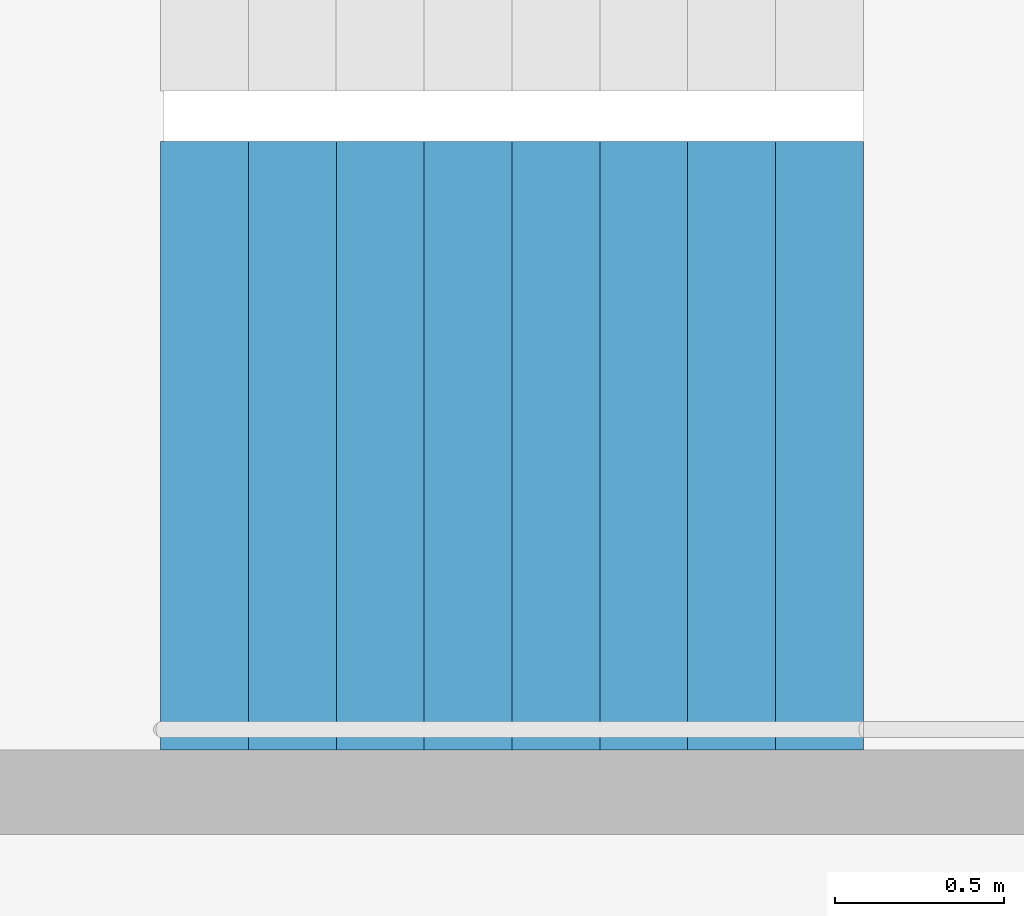
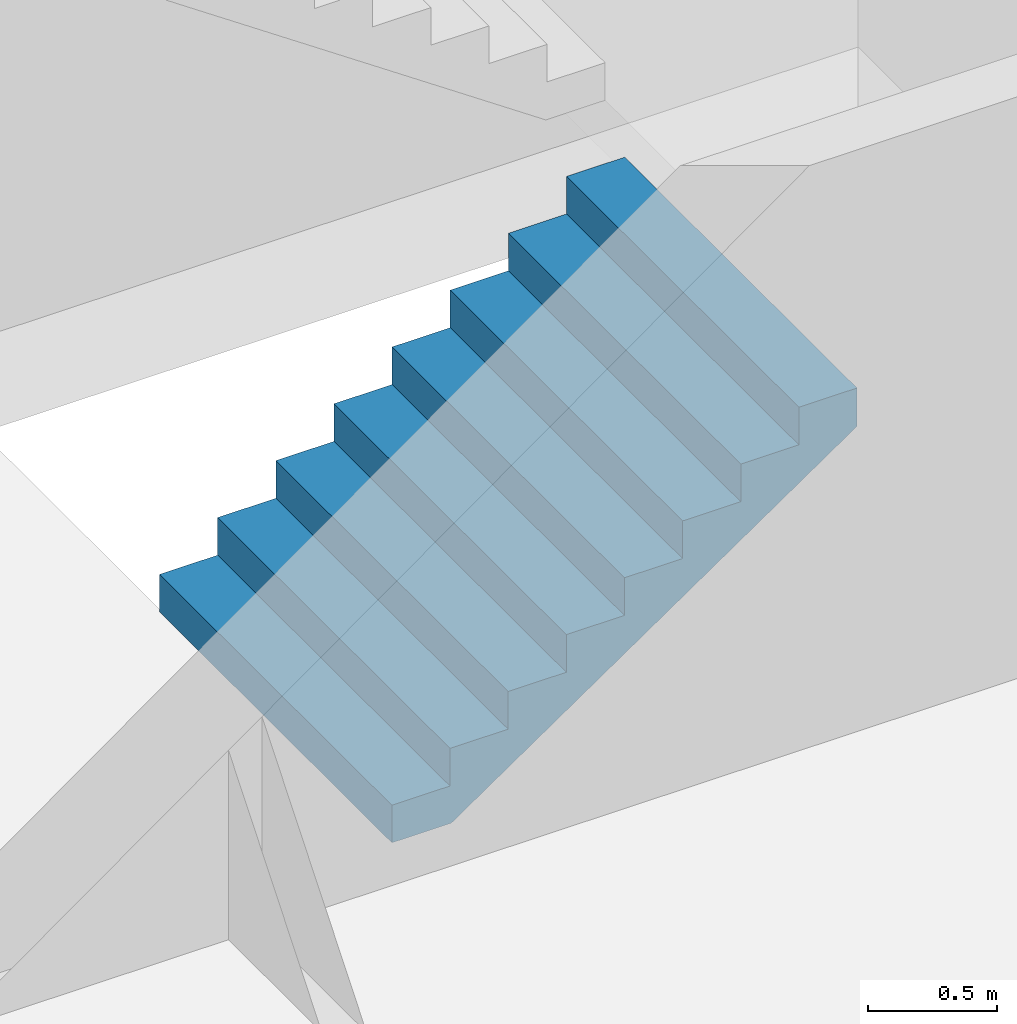
# One storey, part 19 of 29: 1 stair flight, 1 element without a shape of its own.
"""IFC4 building model written with IfcOpenShell, lengths in metres."""

from ifc_helpers import new_model, si_unit, direction, frame, origin, place, context, subcontext, project, spatial, triangles, material, type_object, element, aggregate, save


model = new_model("IFC4")

# Units and contexts
model_context = context("Model", 3, precision=1e-05, world=origin(), true_north=direction((0.0, 1.0)))
body_context = subcontext(model_context, "Body", "Model", "MODEL_VIEW")
ifc_project = project(units=[si_unit("LENGTHUNIT", "METRE"), si_unit("AREAUNIT", "SQUARE_METRE"), si_unit("VOLUMEUNIT", "CUBIC_METRE"), si_unit("PLANEANGLEUNIT", "RADIAN"), si_unit("MASSUNIT", "GRAM", prefix="KILO")], contexts=[model_context])

# Site, building, storey
site_placement = place(None, origin())
site = spatial("IfcSite", under=ifc_project, at=site_placement, CompositionType="ELEMENT")
building_placement = place(site_placement, origin())
building = spatial("IfcBuilding", under=site, at=building_placement, Name="Hakoniwa Tower and Hamabe Station Hall", CompositionType="ELEMENT")
storey_placement = place(building_placement, frame((0.0, 0.0, 205.800048828125)))
storey = spatial("IfcBuildingStorey", under=building, at=storey_placement, Name="L58", CompositionType="ELEMENT", Elevation=205.800048828125)

# Stair, stair flight
ifc_material_1 = material(Name="Concrete C40", Category="concrete")
stair_type = type_object("IfcStairType", Name="ESCAPE STAIR 1800", PredefinedType="HALF_TURN_STAIR", material=ifc_material_1)
stair_placement = place(storey_placement, origin())
stair = element("IfcStair", 1, at=stair_placement, inside=storey, type_object=stair_type, Name="Escape stair ST-1 L58", PredefinedType="HALF_TURN_STAIR")
ifc_material_2 = material(Name="Concrete C40", Category="concrete")
stair_flight_type = type_object("IfcStairFlightType", Name="STAIR FLIGHT 1800", PredefinedType="STRAIGHT", material=ifc_material_2)
stair_flight_placement = place(storey_placement, frame((-24.39990234375, 4.64990234375, 0.0), z_axis=(0.0, 0.0, 1.0), x_axis=(1.0, 0.0, 0.0)))
stair_flight = element("IfcStairFlight", 2, at=stair_flight_placement, type_object=stair_flight_type, Name="ST-1 flight 1", NumberOfRisers=9, NumberOfTreads=8, PredefinedType="STRAIGHT", RiserHeight=0.177777778, TreadLength=0.26, context=body_context, shape_type="Tessellation", body=[
    triangles([(0.0, 0.89990234375, 0.0), (0.260009765625, 0.89990234375, 0.0), (0.265625, 0.89990234375, 0.0), (0.52001953125, 0.89990234375, 0.174072265625), (0.780029296875, 0.89990234375, 0.351806640625), (1.0400390625, 0.89990234375, 0.529541015625), (1.300048828125, 0.89990234375, 0.707275390625), (1.56005859375, 0.89990234375, 0.885009765625), (1.820068359375, 0.89990234375, 1.062744140625), (2.080078125, 0.89990234375, 1.24072265625), (2.080078125, 0.89990234375, 1.422119140625), (1.820068359375, 0.89990234375, 1.422119140625), (1.820068359375, 0.89990234375, 1.244384765625), (1.56005859375, 0.89990234375, 1.244384765625), (1.56005859375, 0.89990234375, 1.066650390625), (1.300048828125, 0.89990234375, 1.066650390625), (1.300048828125, 0.89990234375, 0.888916015625), (1.0400390625, 0.89990234375, 0.888916015625), (1.0400390625, 0.89990234375, 0.711181640625), (0.780029296875, 0.89990234375, 0.711181640625), (0.780029296875, 0.89990234375, 0.533447265625), (0.52001953125, 0.89990234375, 0.533447265625), (0.52001953125, 0.89990234375, 0.35546875), (0.265625, 0.89990234375, 0.35546875), (0.260009765625, 0.89990234375, 0.35546875), (0.260009765625, 0.89990234375, 0.177734375), (0.0, 0.89990234375, 0.177734375), (0.0, 0.06005859375, 0.0), (0.260009765625, 0.06005859375, 0.0), (0.265625, 0.06005859375, 0.0), (0.52001953125, 0.06005859375, 0.174072265625), (0.780029296875, 0.06005859375, 0.351806640625), (1.0400390625, 0.06005859375, 0.529541015625), (1.300048828125, 0.06005859375, 0.707275390625), (1.56005859375, 0.06005859375, 0.885009765625), (1.820068359375, 0.06005859375, 1.062744140625), (2.080078125, 0.06005859375, 1.24072265625), (2.080078125, 0.06005859375, 1.422119140625), (1.820068359375, 0.06005859375, 1.422119140625), (1.820068359375, 0.06005859375, 1.244384765625), (1.56005859375, 0.06005859375, 1.244384765625), (1.56005859375, 0.06005859375, 1.066650390625), (1.300048828125, 0.06005859375, 1.066650390625), (1.300048828125, 0.06005859375, 0.888916015625), (1.0400390625, 0.06005859375, 0.888916015625), (1.0400390625, 0.06005859375, 0.711181640625), (0.780029296875, 0.06005859375, 0.711181640625), (0.780029296875, 0.06005859375, 0.533447265625), (0.52001953125, 0.06005859375, 0.533447265625), (0.52001953125, 0.06005859375, 0.35546875), (0.265625, 0.06005859375, 0.35546875), (0.260009765625, 0.06005859375, 0.35546875), (0.260009765625, 0.06005859375, 0.177734375), (0.0, 0.06005859375, 0.177734375), (0.0, 0.04296875, 0.0), (0.260009765625, 0.04296875, 0.0), (0.265625, 0.04296875, 0.0), (0.52001953125, 0.04296875, 0.174072265625), (0.780029296875, 0.04296875, 0.351806640625), (1.0400390625, 0.04296875, 0.529541015625), (1.300048828125, 0.04296875, 0.707275390625), (1.56005859375, 0.04296875, 0.885009765625), (1.820068359375, 0.04296875, 1.062744140625), (2.080078125, 0.04296875, 1.24072265625), (2.080078125, 0.04296875, 1.422119140625), (1.820068359375, 0.04296875, 1.422119140625), (1.820068359375, 0.04296875, 1.244384765625), (1.56005859375, 0.04296875, 1.244384765625), (1.56005859375, 0.04296875, 1.066650390625), (1.300048828125, 0.04296875, 1.066650390625), (1.300048828125, 0.04296875, 0.888916015625), (1.0400390625, 0.04296875, 0.888916015625), (1.0400390625, 0.04296875, 0.711181640625), (0.780029296875, 0.04296875, 0.711181640625), (0.780029296875, 0.04296875, 0.533447265625), (0.52001953125, 0.04296875, 0.533447265625), (0.52001953125, 0.04296875, 0.35546875), (0.265625, 0.04296875, 0.35546875), (0.260009765625, 0.04296875, 0.35546875), (0.260009765625, 0.04296875, 0.177734375), (0.0, 0.04296875, 0.177734375), (0.0, 0.025634765625, 0.0), (0.260009765625, 0.025634765625, 0.0), (0.265625, 0.025634765625, 0.0), (0.52001953125, 0.025634765625, 0.174072265625), (0.780029296875, 0.025634765625, 0.351806640625), (1.0400390625, 0.025634765625, 0.529541015625), (1.300048828125, 0.025634765625, 0.707275390625), (1.56005859375, 0.025634765625, 0.885009765625), (1.820068359375, 0.025634765625, 1.062744140625), (2.080078125, 0.025634765625, 1.24072265625), (2.080078125, 0.025634765625, 1.422119140625), (1.820068359375, 0.025634765625, 1.422119140625), (1.820068359375, 0.025634765625, 1.244384765625), (1.56005859375, 0.025634765625, 1.244384765625), (1.56005859375, 0.025634765625, 1.066650390625), (1.300048828125, 0.025634765625, 1.066650390625), (1.300048828125, 0.025634765625, 0.888916015625), (1.0400390625, 0.025634765625, 0.888916015625), (1.0400390625, 0.025634765625, 0.711181640625), (0.780029296875, 0.025634765625, 0.711181640625), (0.780029296875, 0.025634765625, 0.533447265625), (0.52001953125, 0.025634765625, 0.533447265625), (0.52001953125, 0.025634765625, 0.35546875), (0.265625, 0.025634765625, 0.35546875), (0.260009765625, 0.025634765625, 0.35546875), (0.260009765625, 0.025634765625, 0.177734375), (0.0, 0.025634765625, 0.177734375), (0.0, 0.008544921875, 0.0), (0.260009765625, 0.008544921875, 0.0), (0.265625, 0.008544921875, 0.0), (0.52001953125, 0.008544921875, 0.174072265625), (0.780029296875, 0.008544921875, 0.351806640625), (1.0400390625, 0.008544921875, 0.529541015625), (1.300048828125, 0.008544921875, 0.707275390625), (1.56005859375, 0.008544921875, 0.885009765625), (1.820068359375, 0.008544921875, 1.062744140625), (2.080078125, 0.008544921875, 1.24072265625), (2.080078125, 0.008544921875, 1.422119140625), (1.820068359375, 0.008544921875, 1.422119140625), (1.820068359375, 0.008544921875, 1.244384765625), (1.56005859375, 0.008544921875, 1.244384765625), (1.56005859375, 0.008544921875, 1.066650390625), (1.300048828125, 0.008544921875, 1.066650390625), (1.300048828125, 0.008544921875, 0.888916015625), (1.0400390625, 0.008544921875, 0.888916015625), (1.0400390625, 0.008544921875, 0.711181640625), (0.780029296875, 0.008544921875, 0.711181640625), (0.780029296875, 0.008544921875, 0.533447265625), (0.52001953125, 0.008544921875, 0.533447265625), (0.52001953125, 0.008544921875, 0.35546875), (0.265625, 0.008544921875, 0.35546875), (0.260009765625, 0.008544921875, 0.35546875), (0.260009765625, 0.008544921875, 0.177734375), (0.0, 0.008544921875, 0.177734375), (0.0, -0.008544921875, 0.0), (0.260009765625, -0.008544921875, 0.0), (0.265625, -0.008544921875, 0.0), (0.52001953125, -0.008544921875, 0.174072265625), (0.780029296875, -0.008544921875, 0.351806640625), (1.0400390625, -0.008544921875, 0.529541015625), (1.300048828125, -0.008544921875, 0.707275390625), (1.56005859375, -0.008544921875, 0.885009765625), (1.820068359375, -0.008544921875, 1.062744140625), (2.080078125, -0.008544921875, 1.24072265625), (2.080078125, -0.008544921875, 1.422119140625), (1.820068359375, -0.008544921875, 1.422119140625), (1.820068359375, -0.008544921875, 1.244384765625), (1.56005859375, -0.008544921875, 1.244384765625), (1.56005859375, -0.008544921875, 1.066650390625), (1.300048828125, -0.008544921875, 1.066650390625), (1.300048828125, -0.008544921875, 0.888916015625), (1.0400390625, -0.008544921875, 0.888916015625), (1.0400390625, -0.008544921875, 0.711181640625), (0.780029296875, -0.008544921875, 0.711181640625), (0.780029296875, -0.008544921875, 0.533447265625), (0.52001953125, -0.008544921875, 0.533447265625), (0.52001953125, -0.008544921875, 0.35546875), (0.265625, -0.008544921875, 0.35546875), (0.260009765625, -0.008544921875, 0.35546875), (0.260009765625, -0.008544921875, 0.177734375), (0.0, -0.008544921875, 0.177734375), (0.0, -0.025634765625, 0.0), (0.260009765625, -0.025634765625, 0.0), (0.265625, -0.025634765625, 0.0), (0.52001953125, -0.025634765625, 0.174072265625), (0.780029296875, -0.025634765625, 0.351806640625), (1.0400390625, -0.025634765625, 0.529541015625), (1.300048828125, -0.025634765625, 0.707275390625), (1.56005859375, -0.025634765625, 0.885009765625), (1.820068359375, -0.025634765625, 1.062744140625), (2.080078125, -0.025634765625, 1.24072265625), (2.080078125, -0.025634765625, 1.422119140625), (1.820068359375, -0.025634765625, 1.422119140625), (1.820068359375, -0.025634765625, 1.244384765625), (1.56005859375, -0.025634765625, 1.244384765625), (1.56005859375, -0.025634765625, 1.066650390625), (1.300048828125, -0.025634765625, 1.066650390625), (1.300048828125, -0.025634765625, 0.888916015625), (1.0400390625, -0.025634765625, 0.888916015625), (1.0400390625, -0.025634765625, 0.711181640625), (0.780029296875, -0.025634765625, 0.711181640625), (0.780029296875, -0.025634765625, 0.533447265625), (0.52001953125, -0.025634765625, 0.533447265625), (0.52001953125, -0.025634765625, 0.35546875), (0.265625, -0.025634765625, 0.35546875), (0.260009765625, -0.025634765625, 0.35546875), (0.260009765625, -0.025634765625, 0.177734375), (0.0, -0.025634765625, 0.177734375), (0.0, -0.04296875, 0.0), (0.260009765625, -0.04296875, 0.0), (0.265625, -0.04296875, 0.0), (0.52001953125, -0.04296875, 0.174072265625), (0.780029296875, -0.04296875, 0.351806640625), (1.0400390625, -0.04296875, 0.529541015625), (1.300048828125, -0.04296875, 0.707275390625), (1.56005859375, -0.04296875, 0.885009765625), (1.820068359375, -0.04296875, 1.062744140625), (2.080078125, -0.04296875, 1.24072265625), (2.080078125, -0.04296875, 1.422119140625), (1.820068359375, -0.04296875, 1.422119140625), (1.820068359375, -0.04296875, 1.244384765625), (1.56005859375, -0.04296875, 1.244384765625), (1.56005859375, -0.04296875, 1.066650390625), (1.300048828125, -0.04296875, 1.066650390625), (1.300048828125, -0.04296875, 0.888916015625), (1.0400390625, -0.04296875, 0.888916015625), (1.0400390625, -0.04296875, 0.711181640625), (0.780029296875, -0.04296875, 0.711181640625), (0.780029296875, -0.04296875, 0.533447265625), (0.52001953125, -0.04296875, 0.533447265625), (0.52001953125, -0.04296875, 0.35546875), (0.265625, -0.04296875, 0.35546875), (0.260009765625, -0.04296875, 0.35546875), (0.260009765625, -0.04296875, 0.177734375), (0.0, -0.04296875, 0.177734375), (0.0, -0.06005859375, 0.0), (0.260009765625, -0.06005859375, 0.0), (0.265625, -0.06005859375, 0.0), (0.52001953125, -0.06005859375, 0.174072265625), (0.780029296875, -0.06005859375, 0.351806640625), (1.0400390625, -0.06005859375, 0.529541015625), (1.300048828125, -0.06005859375, 0.707275390625), (1.56005859375, -0.06005859375, 0.885009765625), (1.820068359375, -0.06005859375, 1.062744140625), (2.080078125, -0.06005859375, 1.24072265625), (2.080078125, -0.06005859375, 1.422119140625), (1.820068359375, -0.06005859375, 1.422119140625), (1.820068359375, -0.06005859375, 1.244384765625), (1.56005859375, -0.06005859375, 1.244384765625), (1.56005859375, -0.06005859375, 1.066650390625), (1.300048828125, -0.06005859375, 1.066650390625), (1.300048828125, -0.06005859375, 0.888916015625), (1.0400390625, -0.06005859375, 0.888916015625), (1.0400390625, -0.06005859375, 0.711181640625), (0.780029296875, -0.06005859375, 0.711181640625), (0.780029296875, -0.06005859375, 0.533447265625), (0.52001953125, -0.06005859375, 0.533447265625), (0.52001953125, -0.06005859375, 0.35546875), (0.265625, -0.06005859375, 0.35546875), (0.260009765625, -0.06005859375, 0.35546875), (0.260009765625, -0.06005859375, 0.177734375), (0.0, -0.06005859375, 0.177734375), (0.0, -0.89990234375, 0.0), (0.260009765625, -0.89990234375, 0.0), (0.265625, -0.89990234375, 0.0), (0.52001953125, -0.89990234375, 0.174072265625), (0.780029296875, -0.89990234375, 0.351806640625), (1.0400390625, -0.89990234375, 0.529541015625), (1.300048828125, -0.89990234375, 0.707275390625), (1.56005859375, -0.89990234375, 0.885009765625), (1.820068359375, -0.89990234375, 1.062744140625), (2.080078125, -0.89990234375, 1.24072265625), (2.080078125, -0.89990234375, 1.422119140625), (1.820068359375, -0.89990234375, 1.422119140625), (1.820068359375, -0.89990234375, 1.244384765625), (1.56005859375, -0.89990234375, 1.244384765625), (1.56005859375, -0.89990234375, 1.066650390625), (1.300048828125, -0.89990234375, 1.066650390625), (1.300048828125, -0.89990234375, 0.888916015625), (1.0400390625, -0.89990234375, 0.888916015625), (1.0400390625, -0.89990234375, 0.711181640625), (0.780029296875, -0.89990234375, 0.711181640625), (0.780029296875, -0.89990234375, 0.533447265625), (0.52001953125, -0.89990234375, 0.533447265625), (0.52001953125, -0.89990234375, 0.35546875), (0.265625, -0.89990234375, 0.35546875), (0.260009765625, -0.89990234375, 0.35546875), (0.260009765625, -0.89990234375, 0.177734375), (0.0, -0.89990234375, 0.177734375)], [[2, 27, 26], [245, 269, 270], [2, 1, 27], [245, 270, 244], [3, 25, 24], [246, 267, 268], [3, 26, 25], [246, 268, 269], [3, 2, 26], [246, 269, 245], [4, 24, 23], [247, 266, 267], [4, 3, 24], [247, 267, 246], [5, 22, 21], [248, 264, 265], [5, 23, 22], [248, 265, 266], [5, 4, 23], [248, 266, 247], [6, 20, 19], [249, 262, 263], [6, 21, 20], [249, 263, 264], [6, 5, 21], [249, 264, 248], [7, 18, 17], [250, 260, 261], [7, 19, 18], [250, 261, 262], [7, 6, 19], [250, 262, 249], [8, 16, 15], [251, 258, 259], [8, 17, 16], [251, 259, 260], [8, 7, 17], [251, 260, 250], [9, 14, 13], [252, 256, 257], [9, 15, 14], [252, 257, 258], [9, 8, 15], [252, 258, 251], [10, 12, 11], [253, 254, 255], [10, 13, 12], [253, 255, 256], [10, 9, 13], [253, 256, 252], [1, 2, 29], [1, 29, 28], [28, 29, 56], [28, 56, 55], [55, 56, 83], [55, 83, 82], [82, 83, 110], [82, 110, 109], [109, 110, 137], [109, 137, 136], [136, 137, 164], [136, 164, 163], [163, 164, 191], [163, 191, 190], [190, 191, 218], [190, 218, 217], [217, 218, 245], [217, 245, 244], [2, 3, 30], [2, 30, 29], [29, 30, 57], [29, 57, 56], [56, 57, 84], [56, 84, 83], [83, 84, 111], [83, 111, 110], [110, 111, 138], [110, 138, 137], [137, 138, 165], [137, 165, 164], [164, 165, 192], [164, 192, 191], [191, 192, 219], [191, 219, 218], [218, 219, 246], [218, 246, 245], [3, 4, 31], [3, 31, 30], [30, 31, 58], [30, 58, 57], [57, 58, 85], [57, 85, 84], [84, 85, 112], [84, 112, 111], [111, 112, 139], [111, 139, 138], [138, 139, 166], [138, 166, 165], [165, 166, 193], [165, 193, 192], [192, 193, 220], [192, 220, 219], [219, 220, 247], [219, 247, 246], [4, 5, 32], [4, 32, 31], [31, 32, 59], [31, 59, 58], [58, 59, 86], [58, 86, 85], [85, 86, 113], [85, 113, 112], [112, 113, 140], [112, 140, 139], [139, 140, 167], [139, 167, 166], [166, 167, 194], [166, 194, 193], [193, 194, 221], [193, 221, 220], [220, 221, 248], [220, 248, 247], [5, 6, 33], [5, 33, 32], [32, 33, 60], [32, 60, 59], [59, 60, 87], [59, 87, 86], [86, 87, 114], [86, 114, 113], [113, 114, 141], [113, 141, 140], [140, 141, 168], [140, 168, 167], [167, 168, 195], [167, 195, 194], [194, 195, 222], [194, 222, 221], [221, 222, 249], [221, 249, 248], [6, 7, 34], [6, 34, 33], [33, 34, 61], [33, 61, 60], [60, 61, 88], [60, 88, 87], [87, 88, 115], [87, 115, 114], [114, 115, 142], [114, 142, 141], [141, 142, 169], [141, 169, 168], [168, 169, 196], [168, 196, 195], [195, 196, 223], [195, 223, 222], [222, 223, 250], [222, 250, 249], [7, 8, 35], [7, 35, 34], [34, 35, 62], [34, 62, 61], [61, 62, 89], [61, 89, 88], [88, 89, 116], [88, 116, 115], [115, 116, 143], [115, 143, 142], [142, 143, 170], [142, 170, 169], [169, 170, 197], [169, 197, 196], [196, 197, 224], [196, 224, 223], [223, 224, 251], [223, 251, 250], [8, 9, 36], [8, 36, 35], [35, 36, 63], [35, 63, 62], [62, 63, 90], [62, 90, 89], [89, 90, 117], [89, 117, 116], [116, 117, 144], [116, 144, 143], [143, 144, 171], [143, 171, 170], [170, 171, 198], [170, 198, 197], [197, 198, 225], [197, 225, 224], [224, 225, 252], [224, 252, 251], [9, 10, 37], [9, 37, 36], [36, 37, 64], [36, 64, 63], [63, 64, 91], [63, 91, 90], [90, 91, 118], [90, 118, 117], [117, 118, 145], [117, 145, 144], [144, 145, 172], [144, 172, 171], [171, 172, 199], [171, 199, 198], [198, 199, 226], [198, 226, 225], [225, 226, 253], [225, 253, 252], [10, 11, 38], [10, 38, 37], [37, 38, 65], [37, 65, 64], [64, 65, 92], [64, 92, 91], [91, 92, 119], [91, 119, 118], [118, 119, 146], [118, 146, 145], [145, 146, 173], [145, 173, 172], [172, 173, 200], [172, 200, 199], [199, 200, 227], [199, 227, 226], [226, 227, 254], [226, 254, 253], [11, 12, 39], [11, 39, 38], [38, 39, 66], [38, 66, 65], [65, 66, 93], [65, 93, 92], [92, 93, 120], [92, 120, 119], [119, 120, 147], [119, 147, 146], [146, 147, 174], [146, 174, 173], [173, 174, 201], [173, 201, 200], [200, 201, 228], [200, 228, 227], [227, 228, 255], [227, 255, 254], [12, 13, 40], [12, 40, 39], [39, 40, 67], [39, 67, 66], [66, 67, 94], [66, 94, 93], [93, 94, 121], [93, 121, 120], [120, 121, 148], [120, 148, 147], [147, 148, 175], [147, 175, 174], [174, 175, 202], [174, 202, 201], [201, 202, 229], [201, 229, 228], [228, 229, 256], [228, 256, 255], [13, 14, 41], [13, 41, 40], [40, 41, 68], [40, 68, 67], [67, 68, 95], [67, 95, 94], [94, 95, 122], [94, 122, 121], [121, 122, 149], [121, 149, 148], [148, 149, 176], [148, 176, 175], [175, 176, 203], [175, 203, 202], [202, 203, 230], [202, 230, 229], [229, 230, 257], [229, 257, 256], [14, 15, 42], [14, 42, 41], [41, 42, 69], [41, 69, 68], [68, 69, 96], [68, 96, 95], [95, 96, 123], [95, 123, 122], [122, 123, 150], [122, 150, 149], [149, 150, 177], [149, 177, 176], [176, 177, 204], [176, 204, 203], [203, 204, 231], [203, 231, 230], [230, 231, 258], [230, 258, 257], [15, 16, 43], [15, 43, 42], [42, 43, 70], [42, 70, 69], [69, 70, 97], [69, 97, 96], [96, 97, 124], [96, 124, 123], [123, 124, 151], [123, 151, 150], [150, 151, 178], [150, 178, 177], [177, 178, 205], [177, 205, 204], [204, 205, 232], [204, 232, 231], [231, 232, 259], [231, 259, 258], [16, 17, 44], [16, 44, 43], [43, 44, 71], [43, 71, 70], [70, 71, 98], [70, 98, 97], [97, 98, 125], [97, 125, 124], [124, 125, 152], [124, 152, 151], [151, 152, 179], [151, 179, 178], [178, 179, 206], [178, 206, 205], [205, 206, 233], [205, 233, 232], [232, 233, 260], [232, 260, 259], [17, 18, 45], [17, 45, 44], [44, 45, 72], [44, 72, 71], [71, 72, 99], [71, 99, 98], [98, 99, 126], [98, 126, 125], [125, 126, 153], [125, 153, 152], [152, 153, 180], [152, 180, 179], [179, 180, 207], [179, 207, 206], [206, 207, 234], [206, 234, 233], [233, 234, 261], [233, 261, 260], [18, 19, 46], [18, 46, 45], [45, 46, 73], [45, 73, 72], [72, 73, 100], [72, 100, 99], [99, 100, 127], [99, 127, 126], [126, 127, 154], [126, 154, 153], [153, 154, 181], [153, 181, 180], [180, 181, 208], [180, 208, 207], [207, 208, 235], [207, 235, 234], [234, 235, 262], [234, 262, 261], [19, 20, 47], [19, 47, 46], [46, 47, 74], [46, 74, 73], [73, 74, 101], [73, 101, 100], [100, 101, 128], [100, 128, 127], [127, 128, 155], [127, 155, 154], [154, 155, 182], [154, 182, 181], [181, 182, 209], [181, 209, 208], [208, 209, 236], [208, 236, 235], [235, 236, 263], [235, 263, 262], [20, 21, 48], [20, 48, 47], [47, 48, 75], [47, 75, 74], [74, 75, 102], [74, 102, 101], [101, 102, 129], [101, 129, 128], [128, 129, 156], [128, 156, 155], [155, 156, 183], [155, 183, 182], [182, 183, 210], [182, 210, 209], [209, 210, 237], [209, 237, 236], [236, 237, 264], [236, 264, 263], [21, 22, 49], [21, 49, 48], [48, 49, 76], [48, 76, 75], [75, 76, 103], [75, 103, 102], [102, 103, 130], [102, 130, 129], [129, 130, 157], [129, 157, 156], [156, 157, 184], [156, 184, 183], [183, 184, 211], [183, 211, 210], [210, 211, 238], [210, 238, 237], [237, 238, 265], [237, 265, 264], [22, 23, 50], [22, 50, 49], [49, 50, 77], [49, 77, 76], [76, 77, 104], [76, 104, 103], [103, 104, 131], [103, 131, 130], [130, 131, 158], [130, 158, 157], [157, 158, 185], [157, 185, 184], [184, 185, 212], [184, 212, 211], [211, 212, 239], [211, 239, 238], [238, 239, 266], [238, 266, 265], [23, 24, 51], [23, 51, 50], [50, 51, 78], [50, 78, 77], [77, 78, 105], [77, 105, 104], [104, 105, 132], [104, 132, 131], [131, 132, 159], [131, 159, 158], [158, 159, 186], [158, 186, 185], [185, 186, 213], [185, 213, 212], [212, 213, 240], [212, 240, 239], [239, 240, 267], [239, 267, 266], [24, 25, 52], [24, 52, 51], [51, 52, 79], [51, 79, 78], [78, 79, 106], [78, 106, 105], [105, 106, 133], [105, 133, 132], [132, 133, 160], [132, 160, 159], [159, 160, 187], [159, 187, 186], [186, 187, 214], [186, 214, 213], [213, 214, 241], [213, 241, 240], [240, 241, 268], [240, 268, 267], [25, 26, 53], [25, 53, 52], [52, 53, 80], [52, 80, 79], [79, 80, 107], [79, 107, 106], [106, 107, 134], [106, 134, 133], [133, 134, 161], [133, 161, 160], [160, 161, 188], [160, 188, 187], [187, 188, 215], [187, 215, 214], [214, 215, 242], [214, 242, 241], [241, 242, 269], [241, 269, 268], [26, 27, 54], [26, 54, 53], [53, 54, 81], [53, 81, 80], [80, 81, 108], [80, 108, 107], [107, 108, 135], [107, 135, 134], [134, 135, 162], [134, 162, 161], [161, 162, 189], [161, 189, 188], [188, 189, 216], [188, 216, 215], [215, 216, 243], [215, 243, 242], [242, 243, 270], [242, 270, 269], [27, 1, 28], [27, 28, 54], [54, 28, 55], [54, 55, 81], [81, 55, 82], [81, 82, 108], [108, 82, 109], [108, 109, 135], [135, 109, 136], [135, 136, 162], [162, 136, 163], [162, 163, 189], [189, 163, 190], [189, 190, 216], [216, 190, 217], [216, 217, 243], [243, 217, 244], [243, 244, 270]], closed=True),
])
aggregate(stair, [stair_flight])

save(model, "model.ifc")
